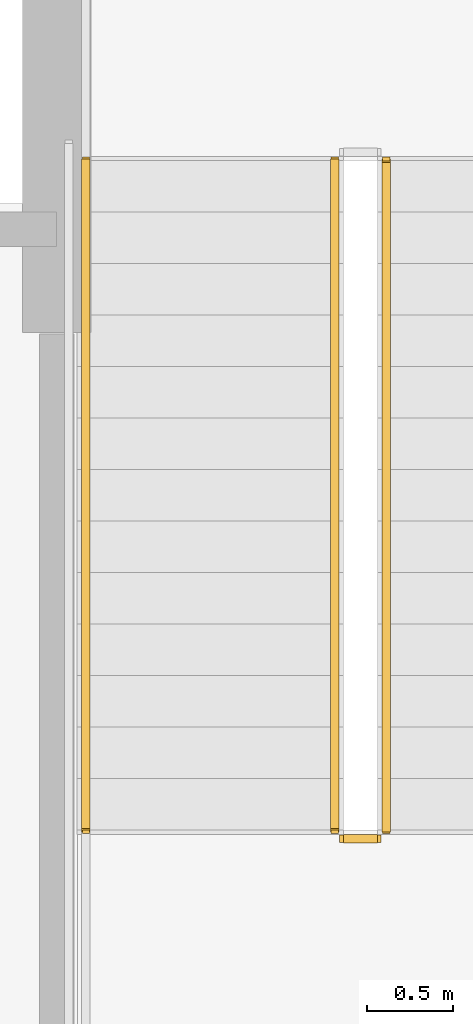
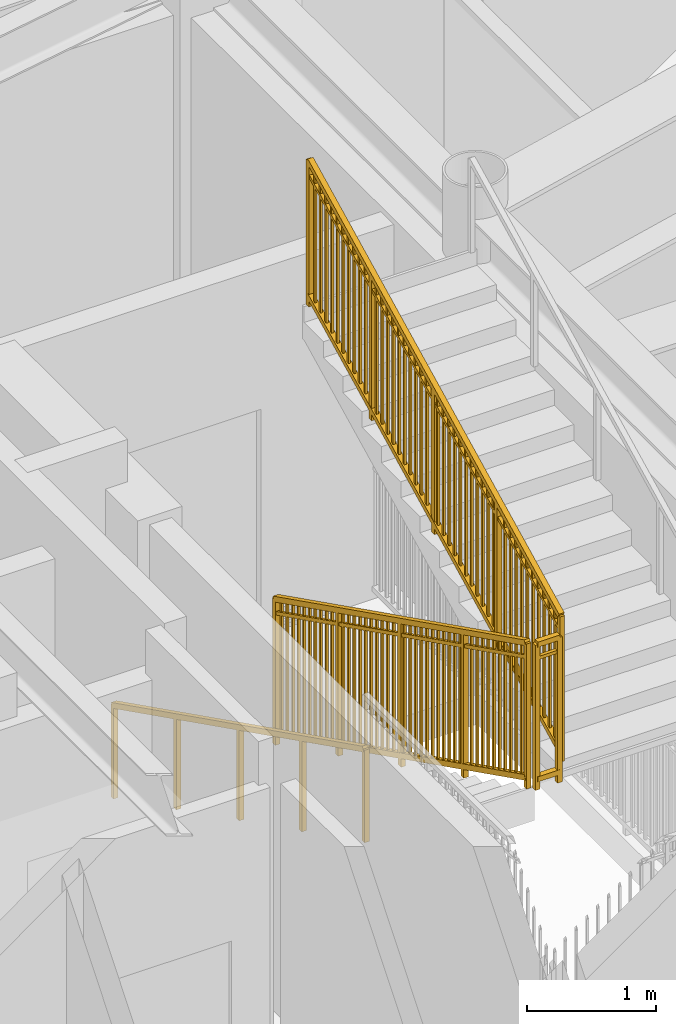
# One storey, part 22 of 26: 4 railings.
"""IFC4 building model written with IfcOpenShell, lengths in metres."""

from ifc_helpers import new_model, si_unit, direction, frame, origin, origin_2d, place, context, subcontext, project, spatial, rectangle, extrude, source, transform, mapped, material, type_object, element, save


model = new_model("IFC4")

# Units and contexts
model_context = context("Model", 3, precision=1e-05, world=origin(), true_north=direction((0.0, 1.0)))
body_context = subcontext(model_context, "Body", "Model", "MODEL_VIEW")
ifc_project = project(units=[si_unit("LENGTHUNIT", "METRE"), si_unit("AREAUNIT", "SQUARE_METRE"), si_unit("VOLUMEUNIT", "CUBIC_METRE"), si_unit("PLANEANGLEUNIT", "RADIAN"), si_unit("MASSUNIT", "GRAM", prefix="KILO")], contexts=[model_context])

# Site, building, storey
site_placement = place(None, origin())
site = spatial("IfcSite", under=ifc_project, at=site_placement, CompositionType="ELEMENT")
building_placement = place(site_placement, origin())
building = spatial("IfcBuilding", under=site, at=building_placement, Name="Linh Dai School and Residence Tower", CompositionType="ELEMENT")
storey_placement = place(building_placement, frame((0.0, 0.0, 346.800048828125)))
storey = spatial("IfcBuildingStorey", under=building, at=storey_placement, Name="L86", CompositionType="ELEMENT", Elevation=346.800048828125)

# Railings
ifc_material_1 = material(Name="Structural Steel S355JR", Category="steel")
railing_type_1 = type_object("IfcRailingType", Name="RL-ST-GUARD-1400", PredefinedType="GUARDRAIL", material=ifc_material_1)
shared_shape_1 = source(origin(), body_context, "Body", "SweptSolid", [
    extrude(rectangle(XDim=0.048095703125, YDim=0.048095703125, at=origin_2d()), frame((0.0, 0.0, 1.3759765625), z_axis=(1.0, 0.0, 0.0), x_axis=(0.0, 1.0, 0.0)), (0.0, 0.0, 1.0), 0.199951171875),
    extrude(rectangle(XDim=0.048095703125, YDim=0.048095703125, at=origin_2d()), frame((0.0, 0.0, 0.10009765625), z_axis=(1.0, 0.0, 0.0), x_axis=(0.0, 1.0, 0.0)), (0.0, 0.0, 1.0), 0.199951171875),
    extrude(rectangle(XDim=0.030029296875, YDim=0.030029296875, at=origin_2d()), frame((0.0, 0.0, 1.239990234375), z_axis=(1.0, 0.0, 0.0), x_axis=(0.0, 1.0, 0.0)), (0.0, 0.0, 1.0), 0.199951171875),
    extrude(rectangle(XDim=0.0419921875, YDim=0.0419921875, at=origin_2d()), origin(), (0.0, 0.0, 1.0), 1.3759765625),
    extrude(rectangle(XDim=0.0419921875, YDim=0.0419921875, at=origin_2d()), frame((0.199951171875, 0.0, 0.0)), (0.0, 0.0, 1.0), 1.3759765625),
])
railing_1_placement = place(storey_placement, frame((42.570068359375, 24.300048828125, 2.099853515625)))
element("IfcRailing", 1, at=railing_1_placement, inside=storey, type_object=railing_type_1, Name="L86 ST2 stair guard 2", PredefinedType="GUARDRAIL", context=body_context, shape_type="MappedRepresentation", body=[
    mapped(shared_shape_1, transform((0.0, 0.0, 0.0), x_axis=(1.0, 0.0, 0.0), y_axis=(0.0, 1.0, 0.0), z_axis=(0.0, 0.0, 1.0), scale=1.0)),
])
shared_shape_2 = source(origin(), body_context, "Body", "SweptSolid", [
    extrude(rectangle(XDim=0.048095703125, YDim=0.048095703125, at=origin_2d()), frame((0.0, 0.0, 1.3759765625), z_axis=(0.0, 0.894427191, 0.4472135955), x_axis=(-1.0, 0.0, 0.0)), (0.0, 0.0, 1.0), 4.360107421875),
    extrude(rectangle(XDim=0.048095703125, YDim=0.048095703125, at=origin_2d()), frame((0.0, 0.0, 0.10009765625), z_axis=(0.0, 0.894427191, 0.4472135955), x_axis=(-1.0, 0.0, 0.0)), (0.0, 0.0, 1.0), 4.360107421875),
    extrude(rectangle(XDim=0.030029296875, YDim=0.030029296875, at=origin_2d()), frame((0.0, 0.0, 1.239990234375), z_axis=(0.0, 0.894427191, 0.4472135955), x_axis=(-1.0, 0.0, 0.0)), (0.0, 0.0, 1.0), 4.360107421875),
    extrude(rectangle(XDim=0.02001953125, YDim=0.02001953125, at=origin_2d()), frame((0.0, 0.086669921875, 0.143310546875)), (0.0, 0.0, 1.0), 1.251708984375),
    extrude(rectangle(XDim=0.02001953125, YDim=0.02001953125, at=origin_2d()), frame((0.0, 0.17333984375, 0.186767578125)), (0.0, 0.0, 1.0), 1.251708984375),
    extrude(rectangle(XDim=0.02001953125, YDim=0.02001953125, at=origin_2d()), frame((0.0, 0.260009765625, 0.22998046875)), (0.0, 0.0, 1.0), 1.251708984375),
    extrude(rectangle(XDim=0.02001953125, YDim=0.02001953125, at=origin_2d()), frame((0.0, 0.3466796875, 0.2734375)), (0.0, 0.0, 1.0), 1.251708984375),
    extrude(rectangle(XDim=0.02001953125, YDim=0.02001953125, at=origin_2d()), frame((0.0, 0.433349609375, 0.316650390625)), (0.0, 0.0, 1.0), 1.251708984375),
    extrude(rectangle(XDim=0.02001953125, YDim=0.02001953125, at=origin_2d()), frame((0.0, 0.52001953125, 0.360107421875)), (0.0, 0.0, 1.0), 1.251708984375),
    extrude(rectangle(XDim=0.02001953125, YDim=0.02001953125, at=origin_2d()), frame((0.0, 0.606689453125, 0.4033203125)), (0.0, 0.0, 1.0), 1.251708984375),
    extrude(rectangle(XDim=0.02001953125, YDim=0.02001953125, at=origin_2d()), frame((0.0, 0.693359375, 0.44677734375)), (0.0, 0.0, 1.0), 1.251708984375),
    extrude(rectangle(XDim=0.02001953125, YDim=0.02001953125, at=origin_2d()), frame((0.0, 0.780029296875, 0.489990234375)), (0.0, 0.0, 1.0), 1.251708984375),
    extrude(rectangle(XDim=0.02001953125, YDim=0.02001953125, at=origin_2d()), frame((0.0, 0.86669921875, 0.533447265625)), (0.0, 0.0, 1.0), 1.251708984375),
    extrude(rectangle(XDim=0.02001953125, YDim=0.02001953125, at=origin_2d()), frame((0.0, 1.0400390625, 0.6201171875)), (0.0, 0.0, 1.0), 1.251708984375),
    extrude(rectangle(XDim=0.02001953125, YDim=0.02001953125, at=origin_2d()), frame((0.0, 1.126708984375, 0.663330078125)), (0.0, 0.0, 1.0), 1.251708984375),
    extrude(rectangle(XDim=0.02001953125, YDim=0.02001953125, at=origin_2d()), frame((0.0, 1.21337890625, 0.706787109375)), (0.0, 0.0, 1.0), 1.251708984375),
    extrude(rectangle(XDim=0.02001953125, YDim=0.02001953125, at=origin_2d()), frame((0.0, 1.300048828125, 0.75)), (0.0, 0.0, 1.0), 1.251708984375),
    extrude(rectangle(XDim=0.02001953125, YDim=0.02001953125, at=origin_2d()), frame((0.0, 1.38671875, 0.79345703125)), (0.0, 0.0, 1.0), 1.251708984375),
    extrude(rectangle(XDim=0.02001953125, YDim=0.02001953125, at=origin_2d()), frame((0.0, 1.473388671875, 0.836669921875)), (0.0, 0.0, 1.0), 1.251708984375),
    extrude(rectangle(XDim=0.02001953125, YDim=0.02001953125, at=origin_2d()), frame((0.0, 1.56005859375, 0.880126953125)), (0.0, 0.0, 1.0), 1.251708984375),
    extrude(rectangle(XDim=0.02001953125, YDim=0.02001953125, at=origin_2d()), frame((0.0, 1.646728515625, 0.92333984375)), (0.0, 0.0, 1.0), 1.251708984375),
    extrude(rectangle(XDim=0.02001953125, YDim=0.02001953125, at=origin_2d()), frame((0.0, 1.7333984375, 0.966796875)), (0.0, 0.0, 1.0), 1.251708984375),
    extrude(rectangle(XDim=0.02001953125, YDim=0.02001953125, at=origin_2d()), frame((0.0, 1.820068359375, 1.010009765625)), (0.0, 0.0, 1.0), 1.251708984375),
    extrude(rectangle(XDim=0.02001953125, YDim=0.02001953125, at=origin_2d()), frame((0.0, 1.90673828125, 1.053466796875)), (0.0, 0.0, 1.0), 1.251708984375),
    extrude(rectangle(XDim=0.02001953125, YDim=0.02001953125, at=origin_2d()), frame((0.0, 1.9931640625, 1.0966796875)), (0.0, 0.0, 1.0), 1.251708984375),
    extrude(rectangle(XDim=0.02001953125, YDim=0.02001953125, at=origin_2d()), frame((0.0, 2.079833984375, 1.14013671875)), (0.0, 0.0, 1.0), 1.251708984375),
    extrude(rectangle(XDim=0.02001953125, YDim=0.02001953125, at=origin_2d()), frame((0.0, 2.16650390625, 1.183349609375)), (0.0, 0.0, 1.0), 1.251708984375),
    extrude(rectangle(XDim=0.02001953125, YDim=0.02001953125, at=origin_2d()), frame((0.0, 2.253173828125, 1.226806640625)), (0.0, 0.0, 1.0), 1.251708984375),
    extrude(rectangle(XDim=0.02001953125, YDim=0.02001953125, at=origin_2d()), frame((0.0, 2.33984375, 1.27001953125)), (0.0, 0.0, 1.0), 1.251708984375),
    extrude(rectangle(XDim=0.02001953125, YDim=0.02001953125, at=origin_2d()), frame((0.0, 2.426513671875, 1.3134765625)), (0.0, 0.0, 1.0), 1.251708984375),
    extrude(rectangle(XDim=0.02001953125, YDim=0.02001953125, at=origin_2d()), frame((0.0, 2.51318359375, 1.356689453125)), (0.0, 0.0, 1.0), 1.251708984375),
    extrude(rectangle(XDim=0.02001953125, YDim=0.02001953125, at=origin_2d()), frame((0.0, 2.599853515625, 1.400146484375)), (0.0, 0.0, 1.0), 1.251708984375),
    extrude(rectangle(XDim=0.02001953125, YDim=0.02001953125, at=origin_2d()), frame((0.0, 2.6865234375, 1.443359375)), (0.0, 0.0, 1.0), 1.251708984375),
    extrude(rectangle(XDim=0.02001953125, YDim=0.02001953125, at=origin_2d()), frame((0.0, 2.773193359375, 1.48681640625)), (0.0, 0.0, 1.0), 1.251708984375),
    extrude(rectangle(XDim=0.02001953125, YDim=0.02001953125, at=origin_2d()), frame((0.0, 2.85986328125, 1.530029296875)), (0.0, 0.0, 1.0), 1.251708984375),
    extrude(rectangle(XDim=0.02001953125, YDim=0.02001953125, at=origin_2d()), frame((0.0, 3.033203125, 1.61669921875)), (0.0, 0.0, 1.0), 1.251708984375),
    extrude(rectangle(XDim=0.02001953125, YDim=0.02001953125, at=origin_2d()), frame((0.0, 3.119873046875, 1.66015625)), (0.0, 0.0, 1.0), 1.251708984375),
    extrude(rectangle(XDim=0.02001953125, YDim=0.02001953125, at=origin_2d()), frame((0.0, 3.20654296875, 1.703369140625)), (0.0, 0.0, 1.0), 1.251708984375),
    extrude(rectangle(XDim=0.02001953125, YDim=0.02001953125, at=origin_2d()), frame((0.0, 3.293212890625, 1.746826171875)), (0.0, 0.0, 1.0), 1.251708984375),
    extrude(rectangle(XDim=0.02001953125, YDim=0.02001953125, at=origin_2d()), frame((0.0, 3.3798828125, 1.7900390625)), (0.0, 0.0, 1.0), 1.251708984375),
    extrude(rectangle(XDim=0.02001953125, YDim=0.02001953125, at=origin_2d()), frame((0.0, 3.466552734375, 1.83349609375)), (0.0, 0.0, 1.0), 1.251708984375),
    extrude(rectangle(XDim=0.02001953125, YDim=0.02001953125, at=origin_2d()), frame((0.0, 3.55322265625, 1.876708984375)), (0.0, 0.0, 1.0), 1.251708984375),
    extrude(rectangle(XDim=0.02001953125, YDim=0.02001953125, at=origin_2d()), frame((0.0, 3.639892578125, 1.920166015625)), (0.0, 0.0, 1.0), 1.251708984375),
    extrude(rectangle(XDim=0.02001953125, YDim=0.02001953125, at=origin_2d()), frame((0.0, 3.7265625, 1.96337890625)), (0.0, 0.0, 1.0), 1.251708984375),
    extrude(rectangle(XDim=0.02001953125, YDim=0.02001953125, at=origin_2d()), frame((0.0, 3.813232421875, 2.0068359375)), (0.0, 0.0, 1.0), 1.251708984375),
    extrude(rectangle(XDim=0.0419921875, YDim=0.0419921875, at=origin_2d()), origin(), (0.0, 0.0, 1.0), 1.3759765625),
    extrude(rectangle(XDim=0.0419921875, YDim=0.0419921875, at=origin_2d()), frame((0.0, 0.97509765625, 0.487548828125)), (0.0, 0.0, 1.0), 1.3759765625),
    extrude(rectangle(XDim=0.0419921875, YDim=0.0419921875, at=origin_2d()), frame((0.0, 1.949951171875, 0.97509765625)), (0.0, 0.0, 1.0), 1.3759765625),
    extrude(rectangle(XDim=0.0419921875, YDim=0.0419921875, at=origin_2d()), frame((0.0, 2.9248046875, 1.46240234375)), (0.0, 0.0, 1.0), 1.3759765625),
    extrude(rectangle(XDim=0.0419921875, YDim=0.0419921875, at=origin_2d()), frame((0.0, 3.89990234375, 1.949951171875)), (0.0, 0.0, 1.0), 1.3759765625),
])
railing_2_placement = place(storey_placement, frame((42.820068359375, 24.35009765625, 2.25)))
element("IfcRailing", 2, at=railing_2_placement, inside=storey, type_object=railing_type_1, Name="L86 ST2 stair guard 6", PredefinedType="GUARDRAIL", context=body_context, shape_type="MappedRepresentation", body=[
    mapped(shared_shape_2, transform((0.0, 0.0, 0.0), x_axis=(1.0, 0.0, 0.0), y_axis=(0.0, 1.0, 0.0), z_axis=(0.0, 0.0, 1.0), scale=1.0)),
])
shared_shape_3 = source(origin(), body_context, "Body", "SweptSolid", [
    extrude(rectangle(XDim=0.048095703125, YDim=0.048095703125, at=origin_2d()), frame((0.0, 0.0, 1.3759765625), z_axis=(0.0, -0.894427191, 0.4472135955), x_axis=(1.0, 0.0, 0.0)), (0.0, 0.0, 1.0), 4.360107421875),
    extrude(rectangle(XDim=0.048095703125, YDim=0.048095703125, at=origin_2d()), frame((0.0, 0.0, 0.10009765625), z_axis=(0.0, -0.894427191, 0.4472135955), x_axis=(1.0, 0.0, 0.0)), (0.0, 0.0, 1.0), 4.360107421875),
    extrude(rectangle(XDim=0.030029296875, YDim=0.030029296875, at=origin_2d()), frame((0.0, 0.0, 1.239990234375), z_axis=(0.0, -0.894427191, 0.4472135955), x_axis=(1.0, 0.0, 0.0)), (0.0, 0.0, 1.0), 4.360107421875),
    extrude(rectangle(XDim=0.02001953125, YDim=0.02001953125, at=origin_2d()), frame((0.0, -0.086669921875, 0.143310546875)), (0.0, 0.0, 1.0), 1.251708984375),
    extrude(rectangle(XDim=0.02001953125, YDim=0.02001953125, at=origin_2d()), frame((0.0, -0.17333984375, 0.186767578125)), (0.0, 0.0, 1.0), 1.251708984375),
    extrude(rectangle(XDim=0.02001953125, YDim=0.02001953125, at=origin_2d()), frame((0.0, -0.260009765625, 0.22998046875)), (0.0, 0.0, 1.0), 1.251708984375),
    extrude(rectangle(XDim=0.02001953125, YDim=0.02001953125, at=origin_2d()), frame((0.0, -0.3466796875, 0.2734375)), (0.0, 0.0, 1.0), 1.251708984375),
    extrude(rectangle(XDim=0.02001953125, YDim=0.02001953125, at=origin_2d()), frame((0.0, -0.433349609375, 0.316650390625)), (0.0, 0.0, 1.0), 1.251708984375),
    extrude(rectangle(XDim=0.02001953125, YDim=0.02001953125, at=origin_2d()), frame((0.0, -0.52001953125, 0.360107421875)), (0.0, 0.0, 1.0), 1.251708984375),
    extrude(rectangle(XDim=0.02001953125, YDim=0.02001953125, at=origin_2d()), frame((0.0, -0.606689453125, 0.4033203125)), (0.0, 0.0, 1.0), 1.251708984375),
    extrude(rectangle(XDim=0.02001953125, YDim=0.02001953125, at=origin_2d()), frame((0.0, -0.693359375, 0.44677734375)), (0.0, 0.0, 1.0), 1.251708984375),
    extrude(rectangle(XDim=0.02001953125, YDim=0.02001953125, at=origin_2d()), frame((0.0, -0.780029296875, 0.489990234375)), (0.0, 0.0, 1.0), 1.251708984375),
    extrude(rectangle(XDim=0.02001953125, YDim=0.02001953125, at=origin_2d()), frame((0.0, -0.86669921875, 0.533447265625)), (0.0, 0.0, 1.0), 1.251708984375),
    extrude(rectangle(XDim=0.02001953125, YDim=0.02001953125, at=origin_2d()), frame((0.0, -1.0400390625, 0.6201171875)), (0.0, 0.0, 1.0), 1.251708984375),
    extrude(rectangle(XDim=0.02001953125, YDim=0.02001953125, at=origin_2d()), frame((0.0, -1.126708984375, 0.663330078125)), (0.0, 0.0, 1.0), 1.251708984375),
    extrude(rectangle(XDim=0.02001953125, YDim=0.02001953125, at=origin_2d()), frame((0.0, -1.21337890625, 0.706787109375)), (0.0, 0.0, 1.0), 1.251708984375),
    extrude(rectangle(XDim=0.02001953125, YDim=0.02001953125, at=origin_2d()), frame((0.0, -1.300048828125, 0.75)), (0.0, 0.0, 1.0), 1.251708984375),
    extrude(rectangle(XDim=0.02001953125, YDim=0.02001953125, at=origin_2d()), frame((0.0, -1.38671875, 0.79345703125)), (0.0, 0.0, 1.0), 1.251708984375),
    extrude(rectangle(XDim=0.02001953125, YDim=0.02001953125, at=origin_2d()), frame((0.0, -1.473388671875, 0.836669921875)), (0.0, 0.0, 1.0), 1.251708984375),
    extrude(rectangle(XDim=0.02001953125, YDim=0.02001953125, at=origin_2d()), frame((0.0, -1.56005859375, 0.880126953125)), (0.0, 0.0, 1.0), 1.251708984375),
    extrude(rectangle(XDim=0.02001953125, YDim=0.02001953125, at=origin_2d()), frame((0.0, -1.646728515625, 0.92333984375)), (0.0, 0.0, 1.0), 1.251708984375),
    extrude(rectangle(XDim=0.02001953125, YDim=0.02001953125, at=origin_2d()), frame((0.0, -1.7333984375, 0.966796875)), (0.0, 0.0, 1.0), 1.251708984375),
    extrude(rectangle(XDim=0.02001953125, YDim=0.02001953125, at=origin_2d()), frame((0.0, -1.820068359375, 1.010009765625)), (0.0, 0.0, 1.0), 1.251708984375),
    extrude(rectangle(XDim=0.02001953125, YDim=0.02001953125, at=origin_2d()), frame((0.0, -1.90673828125, 1.053466796875)), (0.0, 0.0, 1.0), 1.251708984375),
    extrude(rectangle(XDim=0.02001953125, YDim=0.02001953125, at=origin_2d()), frame((0.0, -1.9931640625, 1.0966796875)), (0.0, 0.0, 1.0), 1.251708984375),
    extrude(rectangle(XDim=0.02001953125, YDim=0.02001953125, at=origin_2d()), frame((0.0, -2.079833984375, 1.14013671875)), (0.0, 0.0, 1.0), 1.251708984375),
    extrude(rectangle(XDim=0.02001953125, YDim=0.02001953125, at=origin_2d()), frame((0.0, -2.16650390625, 1.183349609375)), (0.0, 0.0, 1.0), 1.251708984375),
    extrude(rectangle(XDim=0.02001953125, YDim=0.02001953125, at=origin_2d()), frame((0.0, -2.253173828125, 1.226806640625)), (0.0, 0.0, 1.0), 1.251708984375),
    extrude(rectangle(XDim=0.02001953125, YDim=0.02001953125, at=origin_2d()), frame((0.0, -2.33984375, 1.27001953125)), (0.0, 0.0, 1.0), 1.251708984375),
    extrude(rectangle(XDim=0.02001953125, YDim=0.02001953125, at=origin_2d()), frame((0.0, -2.426513671875, 1.3134765625)), (0.0, 0.0, 1.0), 1.251708984375),
    extrude(rectangle(XDim=0.02001953125, YDim=0.02001953125, at=origin_2d()), frame((0.0, -2.51318359375, 1.356689453125)), (0.0, 0.0, 1.0), 1.251708984375),
    extrude(rectangle(XDim=0.02001953125, YDim=0.02001953125, at=origin_2d()), frame((0.0, -2.599853515625, 1.400146484375)), (0.0, 0.0, 1.0), 1.251708984375),
    extrude(rectangle(XDim=0.02001953125, YDim=0.02001953125, at=origin_2d()), frame((0.0, -2.6865234375, 1.443359375)), (0.0, 0.0, 1.0), 1.251708984375),
    extrude(rectangle(XDim=0.02001953125, YDim=0.02001953125, at=origin_2d()), frame((0.0, -2.773193359375, 1.48681640625)), (0.0, 0.0, 1.0), 1.251708984375),
    extrude(rectangle(XDim=0.02001953125, YDim=0.02001953125, at=origin_2d()), frame((0.0, -2.85986328125, 1.530029296875)), (0.0, 0.0, 1.0), 1.251708984375),
    extrude(rectangle(XDim=0.02001953125, YDim=0.02001953125, at=origin_2d()), frame((0.0, -3.033203125, 1.61669921875)), (0.0, 0.0, 1.0), 1.251708984375),
    extrude(rectangle(XDim=0.02001953125, YDim=0.02001953125, at=origin_2d()), frame((0.0, -3.119873046875, 1.66015625)), (0.0, 0.0, 1.0), 1.251708984375),
    extrude(rectangle(XDim=0.02001953125, YDim=0.02001953125, at=origin_2d()), frame((0.0, -3.20654296875, 1.703369140625)), (0.0, 0.0, 1.0), 1.251708984375),
    extrude(rectangle(XDim=0.02001953125, YDim=0.02001953125, at=origin_2d()), frame((0.0, -3.293212890625, 1.746826171875)), (0.0, 0.0, 1.0), 1.251708984375),
    extrude(rectangle(XDim=0.02001953125, YDim=0.02001953125, at=origin_2d()), frame((0.0, -3.3798828125, 1.7900390625)), (0.0, 0.0, 1.0), 1.251708984375),
    extrude(rectangle(XDim=0.02001953125, YDim=0.02001953125, at=origin_2d()), frame((0.0, -3.466552734375, 1.83349609375)), (0.0, 0.0, 1.0), 1.251708984375),
    extrude(rectangle(XDim=0.02001953125, YDim=0.02001953125, at=origin_2d()), frame((0.0, -3.55322265625, 1.876708984375)), (0.0, 0.0, 1.0), 1.251708984375),
    extrude(rectangle(XDim=0.02001953125, YDim=0.02001953125, at=origin_2d()), frame((0.0, -3.639892578125, 1.920166015625)), (0.0, 0.0, 1.0), 1.251708984375),
    extrude(rectangle(XDim=0.02001953125, YDim=0.02001953125, at=origin_2d()), frame((0.0, -3.7265625, 1.96337890625)), (0.0, 0.0, 1.0), 1.251708984375),
    extrude(rectangle(XDim=0.02001953125, YDim=0.02001953125, at=origin_2d()), frame((0.0, -3.813232421875, 2.0068359375)), (0.0, 0.0, 1.0), 1.251708984375),
    extrude(rectangle(XDim=0.0419921875, YDim=0.0419921875, at=origin_2d()), origin(), (0.0, 0.0, 1.0), 1.3759765625),
    extrude(rectangle(XDim=0.0419921875, YDim=0.0419921875, at=origin_2d()), frame((0.0, -0.97509765625, 0.487548828125)), (0.0, 0.0, 1.0), 1.3759765625),
    extrude(rectangle(XDim=0.0419921875, YDim=0.0419921875, at=origin_2d()), frame((0.0, -1.949951171875, 0.97509765625)), (0.0, 0.0, 1.0), 1.3759765625),
    extrude(rectangle(XDim=0.0419921875, YDim=0.0419921875, at=origin_2d()), frame((0.0, -2.9248046875, 1.46240234375)), (0.0, 0.0, 1.0), 1.3759765625),
    extrude(rectangle(XDim=0.0419921875, YDim=0.0419921875, at=origin_2d()), frame((0.0, -3.89990234375, 1.949951171875)), (0.0, 0.0, 1.0), 1.3759765625),
])
railing_3_placement = place(storey_placement, frame((42.52001953125, 28.25, 0.14990234375)))
element("IfcRailing", 3, at=railing_3_placement, inside=storey, type_object=railing_type_1, Name="L86 ST2 stair guard 1", PredefinedType="GUARDRAIL", context=body_context, shape_type="MappedRepresentation", body=[
    mapped(shared_shape_3, transform((0.0, 0.0, 0.0), x_axis=(1.0, 0.0, 0.0), y_axis=(0.0, 1.0, 0.0), z_axis=(0.0, 0.0, 1.0), scale=1.0)),
])
ifc_material_2 = material(Name="Brushed Stainless Steel Handrail", Category="steel")
railing_type_2 = type_object("IfcRailingType", Name="RL-ST-HANDRAIL-900", PredefinedType="HANDRAIL", material=ifc_material_2)
shared_shape_4 = source(origin(), body_context, "Body", "SweptSolid", [
    extrude(rectangle(XDim=0.048095703125, YDim=0.048095703125, at=origin_2d()), frame((0.0, 0.0, 0.8759765625), z_axis=(0.0, -0.894427191, 0.4472135955), x_axis=(1.0, 0.0, 0.0)), (0.0, 0.0, 1.0), 4.360107421875),
    extrude(rectangle(XDim=0.0419921875, YDim=0.0419921875, at=origin_2d()), origin(), (0.0, 0.0, 1.0), 0.8759765625),
    extrude(rectangle(XDim=0.0419921875, YDim=0.0419921875, at=origin_2d()), frame((0.0, -0.97509765625, 0.487548828125)), (0.0, 0.0, 1.0), 0.8759765625),
    extrude(rectangle(XDim=0.0419921875, YDim=0.0419921875, at=origin_2d()), frame((0.0, -1.949951171875, 0.97509765625)), (0.0, 0.0, 1.0), 0.8759765625),
    extrude(rectangle(XDim=0.0419921875, YDim=0.0419921875, at=origin_2d()), frame((0.0, -2.9248046875, 1.46240234375)), (0.0, 0.0, 1.0), 0.8759765625),
    extrude(rectangle(XDim=0.0419921875, YDim=0.0419921875, at=origin_2d()), frame((0.0, -3.89990234375, 1.949951171875)), (0.0, 0.0, 1.0), 0.8759765625),
])
railing_4_placement = place(storey_placement, frame((41.070068359375, 28.25, 0.14990234375)))
element("IfcRailing", 4, at=railing_4_placement, inside=storey, type_object=railing_type_2, Name="L86 ST2 stair handrail 1", PredefinedType="HANDRAIL", context=body_context, shape_type="MappedRepresentation", body=[
    mapped(shared_shape_4, transform((0.0, 0.0, 0.0), x_axis=(1.0, 0.0, 0.0), y_axis=(0.0, 1.0, 0.0), z_axis=(0.0, 0.0, 1.0), scale=1.0)),
])

save(model, "model.ifc")
